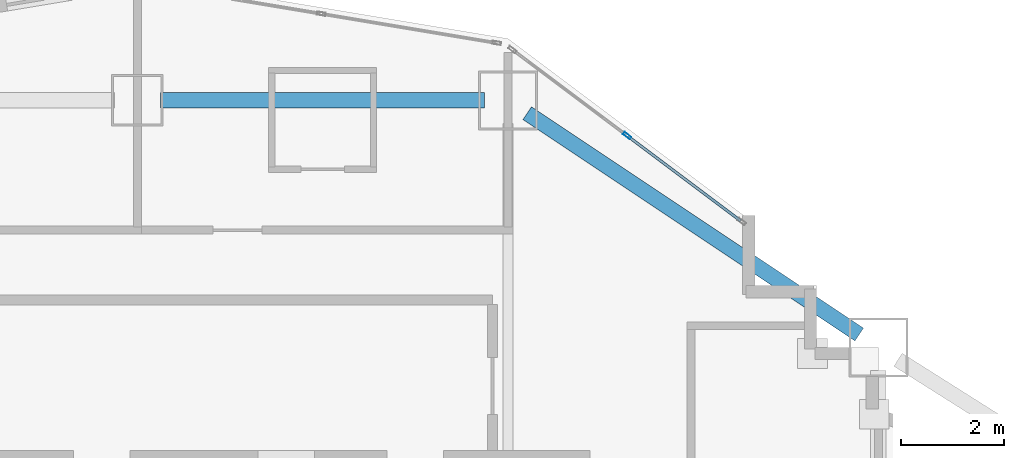
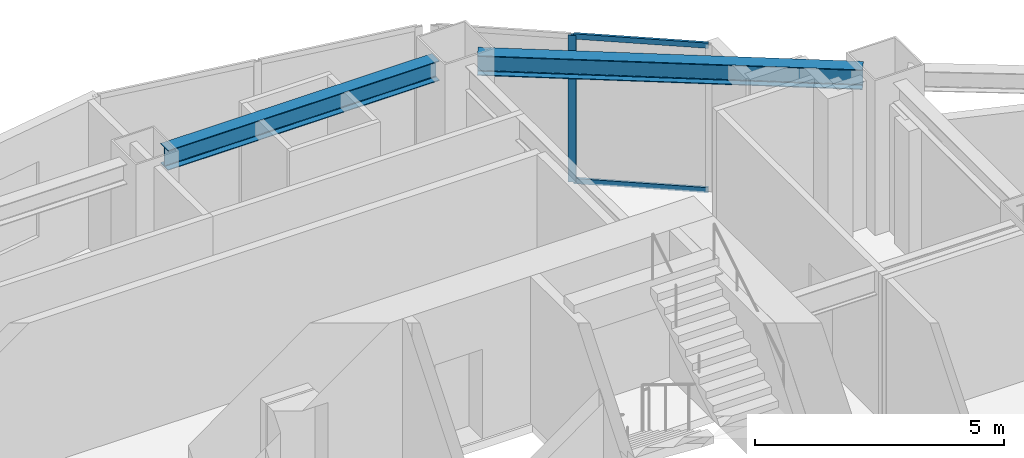
# One storey, part 3 of 15: 3 members, 2 beams, 1 element without a shape of its own.
"""IFC4 building model written with IfcOpenShell, lengths in metres."""

import ifcopenshell
import ifcopenshell.guid

model = None  # the IFC model being written
_history = None  # IfcOwnerHistory: only IFC2X3 demands one
_inside = {}  # id of a spatial element -> (the spatial element, [elements in it])
_under = {}  # id of a project, library or spatial element -> (it, [spatial elements below it])
_declared = {}  # id of a project -> (the project, [libraries it declares])
_typed = {}  # id of a type object -> (the type object, [elements of that type])
_made_of = {}  # id of a material, layer set ... -> (it, [elements and type objects made of it])


def new_model(schema):
    """Start an empty IFC model of exactly this schema.

    Asked for "IFC4X3", IfcOpenShell would pick the latest addendum, in which some entities
    have other attributes; the version numbers below select the first issue.
    IFC2X3 requires an IfcOwnerHistory on every rooted entity: one is made here for all.
    """
    global model, _history
    if schema == "IFC4X3":
        model = ifcopenshell.file(schema_version=(4, 3, 0, 0))
    else:
        model = ifcopenshell.file(schema=schema)
    _inside.clear()
    _under.clear()
    _declared.clear()
    _typed.clear()
    _made_of.clear()
    _history = None
    if model.schema == "IFC2X3":
        org = make("IfcOrganization", Name="unknown")
        user = make(
            "IfcPersonAndOrganization",
            ThePerson=make("IfcPerson", FamilyName="unknown"),
            TheOrganization=org,
        )
        app = make(
            "IfcApplication",
            ApplicationDeveloper=org,
            Version="unknown",
            ApplicationFullName="unknown",
            ApplicationIdentifier="unknown",
        )
        _history = make(
            "IfcOwnerHistory",
            OwningUser=user,
            OwningApplication=app,
            ChangeAction="ADDED",
            CreationDate=0,
        )
    return model


def make(cls, **values):
    """One entity of the class cls with the attributes given. An attribute that is None is left unset."""
    return model.create_entity(
        cls, **{name: value for name, value in values.items() if value is not None}
    )


def rooted(cls, **values):
    """An entity with a GlobalId (a new one), such as an element, a storey or a relation."""
    return make(cls, GlobalId=ifcopenshell.guid.new(), OwnerHistory=_history, **values)


def si_unit(unit_type, name, prefix=None):
    """IfcSIUnit, for example si_unit("LENGTHUNIT", "METRE", prefix="MILLI")."""
    return make("IfcSIUnit", UnitType=unit_type, Prefix=prefix, Name=name)


def assignment(units):
    """IfcUnitAssignment: the units of a project."""
    return None if units is None else make("IfcUnitAssignment", Units=units)


def point(xyz):
    """IfcCartesianPoint."""
    return None if xyz is None else make("IfcCartesianPoint", Coordinates=xyz)


def direction(xyz):
    """IfcDirection."""
    return None if xyz is None else make("IfcDirection", DirectionRatios=xyz)


def frame(location, z_axis=None, x_axis=None):
    """IfcAxis2Placement3D, a coordinate frame: its origin and axes. An axis left out is left unset."""
    return make(
        "IfcAxis2Placement3D",
        Location=point(location),
        Axis=direction(z_axis),
        RefDirection=direction(x_axis),
    )


def frame_2d(location, x_axis=None):
    """IfcAxis2Placement2D, a coordinate frame in the plane: its origin and x axis."""
    return make(
        "IfcAxis2Placement2D", Location=point(location), RefDirection=direction(x_axis)
    )


def origin():
    """The frame at (0, 0, 0) with its axes left unset."""
    return frame((0.0, 0.0, 0.0))


def origin_2d():
    """The frame at (0, 0) in the plane with its x axis left unset."""
    return frame_2d((0.0, 0.0))


def place(relative_to, where):
    """IfcLocalPlacement: puts the frame where relative to a parent placement (None: the world)."""
    return make(
        "IfcLocalPlacement", PlacementRelTo=relative_to, RelativePlacement=where
    )


def context(
    kind, dimensions, precision=None, world=None, true_north=None, identifier=None
):
    """IfcGeometricRepresentationContext, for example the 3D "Model" context."""
    return make(
        "IfcGeometricRepresentationContext",
        ContextIdentifier=identifier,
        ContextType=kind,
        CoordinateSpaceDimension=dimensions,
        Precision=precision,
        WorldCoordinateSystem=world,
        TrueNorth=true_north,
    )


def subcontext(parent, identifier, kind, view, scale=None):
    """IfcGeometricRepresentationSubContext, for example "Body" below "Model"."""
    return make(
        "IfcGeometricRepresentationSubContext",
        ContextIdentifier=identifier,
        ContextType=kind,
        ParentContext=parent,
        TargetScale=scale,
        TargetView=view,
    )


def project(units=None, contexts=None):
    """IfcProject with its units and contexts."""
    return rooted(
        "IfcProject",
        Name="project",
        RepresentationContexts=contexts,
        UnitsInContext=assignment(units),
    )


def spatial(cls, under=None, at=None, **own):
    """A site, building, storey or space (cls), placed at a placement, below another one or the project."""
    s = rooted(cls, ObjectPlacement=at, **own)
    if under is not None:
        _under.setdefault(under.id(), (under, []))[1].append(s)
    return s


def profile(cls, at=None, kind="AREA", **sizes):
    """A parametric profile (cls). Its sizes go by their IFC names, for example OverallWidth=200.0."""
    return make(cls, ProfileType=kind, Position=at, **sizes)


def hollow_rectangle(**sizes):
    """IfcRectangleHollowProfileDef."""
    return profile("IfcRectangleHollowProfileDef", **sizes)


def i_section(**sizes):
    """IfcIShapeProfileDef."""
    return profile("IfcIShapeProfileDef", **sizes)


def extrude(swept, where, along, depth):
    """IfcExtrudedAreaSolid: the profile swept, set in the frame where, extruded along a direction by depth."""
    return make(
        "IfcExtrudedAreaSolid",
        SweptArea=swept,
        Position=where,
        ExtrudedDirection=direction(along),
        Depth=depth,
    )


def shape(context_of_items, identifier, shape_type, items):
    """IfcShapeRepresentation: the items that make up one representation, for example the "Body"."""
    return make(
        "IfcShapeRepresentation",
        ContextOfItems=context_of_items,
        RepresentationIdentifier=identifier,
        RepresentationType=shape_type,
        Items=items,
    )


def material(Name=None, Category=None):
    """IfcMaterial."""
    return make("IfcMaterial", Name=Name, Category=Category)


def layer(
    of_material, thickness, ventilated=None, Name=None, Category=None, Priority=None
):
    """IfcMaterialLayer: one layer of a wall or slab, of a material (None: an air gap)."""
    return make(
        "IfcMaterialLayer",
        Material=of_material,
        LayerThickness=thickness,
        IsVentilated=ventilated,
        Name=Name,
        Category=Category,
        Priority=Priority,
    )


def layer_set(layers, Name=None):
    """IfcMaterialLayerSet."""
    return make("IfcMaterialLayerSet", MaterialLayers=layers, LayerSetName=Name)


def material_profile(
    of_material, cross_section, Name=None, Category=None, Priority=None
):
    """IfcMaterialProfile: a cross section and its material."""
    return make(
        "IfcMaterialProfile",
        Name=Name,
        Material=of_material,
        Profile=cross_section,
        Priority=Priority,
        Category=Category,
    )


def profile_set(profiles, Name=None, composite=None):
    """IfcMaterialProfileSet."""
    return make(
        "IfcMaterialProfileSet",
        Name=Name,
        MaterialProfiles=profiles,
        CompositeProfile=composite,
    )


def made_of(thing, what):
    """Note that an element or type object is made of a material, layer set ...; save() writes the relation."""
    if what is not None:
        _made_of.setdefault(what.id(), (what, []))[1].append(thing)
    return thing


def type_object(cls, material=None, **own):
    """A type object (cls), such as IfcWallType, which elements share."""
    return made_of(rooted(cls, **own), material)


def element(
    cls,
    number,
    at=None,
    inside=None,
    cuts=None,
    type_object=None,
    material=None,
    context=None,
    identifier="Body",
    shape_type=None,
    held_by="IfcProductDefinitionShape",
    body=None,
    shapes=None,
    **own,
):
    """One element of the class cls, such as IfcWall. Its Tag is "e" and its number.

    at: its placement. inside: the storey or other place that contains it. cuts: it is an
    opening in that element (IfcRelVoidsElement). A single representation is given by context,
    identifier, shape_type and body (its items); several are given by shapes. held_by: the class
    of the entity that holds the representations. save() writes the other relations.
    """
    e = rooted(cls, Tag="e%d" % number, ObjectPlacement=at, **own)
    if body is not None:
        shapes = [shape(context, identifier, shape_type, body)]
    if shapes is not None:
        e.Representation = make(held_by, Representations=shapes)
    if inside is not None:
        _inside.setdefault(inside.id(), (inside, []))[1].append(e)
    if cuts is not None:
        rooted(
            "IfcRelVoidsElement", RelatingBuildingElement=cuts, RelatedOpeningElement=e
        )
    if type_object is not None:
        _typed.setdefault(type_object.id(), (type_object, []))[1].append(e)
    return made_of(e, material)


def aggregate(whole, parts):
    """IfcRelAggregates: a whole, such as a stair, and the parts it consists of."""
    return rooted("IfcRelAggregates", RelatingObject=whole, RelatedObjects=parts)


def save(model, path):
    """Write the relations noted so far, then the file.

    IfcRelAggregates (storeys below a building ...), IfcRelContainedInSpatialStructure (elements
    in a storey), IfcRelDefinesByType, IfcRelAssociatesMaterial and IfcRelDeclares: one each for
    every whole, place, type object, material and project.
    """
    for whole, parts in _under.values():
        aggregate(whole, parts)
    for where, things in _inside.values():
        rooted(
            "IfcRelContainedInSpatialStructure",
            RelatedElements=things,
            RelatingStructure=where,
        )
    for kind, things in _typed.values():
        rooted("IfcRelDefinesByType", RelatedObjects=things, RelatingType=kind)
    for what, things in _made_of.values():
        rooted("IfcRelAssociatesMaterial", RelatedObjects=things, RelatingMaterial=what)
    for by, libraries in _declared.values():
        rooted("IfcRelDeclares", RelatingContext=by, RelatedDefinitions=libraries)
    model.write(path)


model = new_model("IFC4")

# Units and contexts
model_context = context("Model", 3, precision=1e-05, world=origin(), true_north=direction((0.0, 1.0)))
body_context = subcontext(model_context, "Body", "Model", "MODEL_VIEW")
ifc_project = project(units=[si_unit("LENGTHUNIT", "METRE"), si_unit("AREAUNIT", "SQUARE_METRE"), si_unit("VOLUMEUNIT", "CUBIC_METRE"), si_unit("PLANEANGLEUNIT", "RADIAN"), si_unit("MASSUNIT", "GRAM", prefix="KILO")], contexts=[model_context])

# Site, building, storey
site_placement = place(None, origin())
site = spatial("IfcSite", under=ifc_project, at=site_placement, CompositionType="ELEMENT")
building_placement = place(site_placement, origin())
building = spatial("IfcBuilding", under=site, at=building_placement, Name="Haolan Belvedere Tower", CompositionType="ELEMENT")
storey_placement = place(building_placement, frame((0.0, 0.0, 70.39990234375)))
storey = spatial("IfcBuildingStorey", under=building, at=storey_placement, Name="L17", CompositionType="ELEMENT", Elevation=70.39990234375)

# Beams
ifc_material_1 = material(Name="Steel Q355B", Category="steel")
ifc_material_profile_1 = material_profile(ifc_material_1, i_section(OverallWidth=0.300048828125, OverallDepth=0.488037109375, WebThickness=0.010986328125, FlangeThickness=0.01806640625, FilletRadius=0.02587890625, at=origin_2d()), Name="Steel Q355B")
ifc_profile_set_1 = profile_set([ifc_material_profile_1], Name="Steel Q355B")
beam_type = type_object("IfcBeamType", Name="BM-HM488x300x11x18", PredefinedType="SPANDREL", material=ifc_profile_set_1)
beam_1_placement = place(storey_placement, frame((38.85009765625, 50.39990234375, 3.356201171875), z_axis=(1.0, 0.0, 0.0), x_axis=(0.0, 1.0, 0.0)))
element("IfcBeam", 1, at=beam_1_placement, inside=storey, type_object=beam_type, Name="L17 spandrel girder TC-T3-NM-MC-T3-N2", PredefinedType="SPANDREL", context=body_context, shape_type="SweptSolid", body=[
    extrude(i_section(OverallWidth=0.300048828125, OverallDepth=0.488037109375, WebThickness=0.010986328125, FlangeThickness=0.01806640625, FilletRadius=0.02587890625, at=origin_2d()), origin(), (0.0, 0.0, 1.0), 6.2998046875),
])
beam_2_placement = place(storey_placement, frame((45.974365234375, 50.150390625, 3.356201171875), z_axis=(0.832050294338, -0.554700196225, 0.0), x_axis=(0.554700196225, 0.832050294338, 0.0)))
element("IfcBeam", 2, at=beam_2_placement, inside=storey, type_object=beam_type, Name="L17 spandrel girder MC-T3-N2-MC-T3-NE", PredefinedType="SPANDREL", context=body_context, shape_type="SweptSolid", body=[
    extrude(i_section(OverallWidth=0.300048828125, OverallDepth=0.488037109375, WebThickness=0.010986328125, FlangeThickness=0.01806640625, FilletRadius=0.02587890625, at=origin_2d()), origin(), (0.0, 0.0, 1.0), 7.75341796875),
])

# Curtain wall, members
ifc_material_2 = material(Name="Anodised champagne-silver aluminium 6063-T6 and Low-E glass", Category="aluminium")
ifc_layer = layer(ifc_material_2, 0.1650390625, Name="Anodised champagne-silver aluminium 6063-T6 and Low-E glass")
ifc_layer_set = layer_set([ifc_layer], Name="Anodised champagne-silver aluminium 6063-T6 and Low-E glass")
curtain_wall_type = type_object("IfcCurtainWallType", Name="CW-SYS-02", PredefinedType="NOTDEFINED", material=ifc_layer_set)
curtain_wall_placement = place(storey_placement, origin())
curtain_wall = element("IfcCurtainWall", 3, at=curtain_wall_placement, inside=storey, type_object=curtain_wall_type, Name="L17 CW-SYS-02 ribbon curtain wall 41.1", PredefinedType="NOTDEFINED")
ifc_material_3 = material(Name="Anodised aluminium 6063-T6", Category="aluminium")
ifc_material_profile_2 = material_profile(ifc_material_3, hollow_rectangle(XDim=0.06005859375, YDim=0.1650390625, WallThickness=0.00390625, at=origin_2d()), Name="Anodised aluminium 6063-T6")
ifc_profile_set_2 = profile_set([ifc_material_profile_2], Name="Anodised aluminium 6063-T6")
member_type_1 = type_object("IfcMemberType", Name="CW-SYS-02-MUL", PredefinedType="MULLION", material=ifc_profile_set_2)
member_1_placement = place(storey_placement, frame((47.915771484375, 49.713134765625, 0.0), z_axis=(0.0, 0.0, 1.0), x_axis=(-0.599994316874, -0.800004262313, 0.0)))
member_1 = element("IfcMember", 4, at=member_1_placement, type_object=member_type_1, Name="CW-02 mullion 2", PredefinedType="MULLION", context=body_context, shape_type="SweptSolid", body=[
    extrude(hollow_rectangle(XDim=0.06005859375, YDim=0.1650390625, WallThickness=0.00390625, at=origin_2d()), origin(), (0.0, 0.0, 1.0), 3.60009765625),
])
ifc_material_profile_3 = material_profile(ifc_material_3, hollow_rectangle(XDim=0.054931640625, YDim=0.1298828125, WallThickness=0.00390625, at=origin_2d()), Name="Anodised aluminium 6063-T6")
ifc_profile_set_3 = profile_set([ifc_material_profile_3], Name="Anodised aluminium 6063-T6")
member_type_2 = type_object("IfcMemberType", Name="CW-SYS-02-TRN", PredefinedType="USERDEFINED", material=ifc_profile_set_3)
member_2_placement = place(storey_placement, frame((50.1201171875, 48.06005859375, 0.027587890625), z_axis=(-0.800010749092, 0.599985667609, 0.0), x_axis=(-0.599985667609, -0.800010749092, 0.0)))
member_2 = element("IfcMember", 5, at=member_2_placement, type_object=member_type_2, Name="CW-02 transom 1.1", ObjectType="TRANSOM", PredefinedType="USERDEFINED", context=body_context, shape_type="SweptSolid", body=[
    extrude(hollow_rectangle(XDim=0.054931640625, YDim=0.1298828125, WallThickness=0.00390625, at=origin_2d()), origin(), (0.0, 0.0, 1.0), 2.7255859375),
])
member_3_placement = place(storey_placement, frame((50.1201171875, 48.06005859375, 3.572509765625), z_axis=(-0.800010749092, 0.599985667609, 0.0), x_axis=(-0.599985667609, -0.800010749092, 0.0)))
member_3 = element("IfcMember", 6, at=member_3_placement, type_object=member_type_2, Name="CW-02 transom 1.2", ObjectType="TRANSOM", PredefinedType="USERDEFINED", context=body_context, shape_type="SweptSolid", body=[
    extrude(hollow_rectangle(XDim=0.054931640625, YDim=0.1298828125, WallThickness=0.00390625, at=origin_2d()), origin(), (0.0, 0.0, 1.0), 2.7255859375),
])
aggregate(curtain_wall, [member_1, member_2, member_3])

save(model, "model.ifc")
